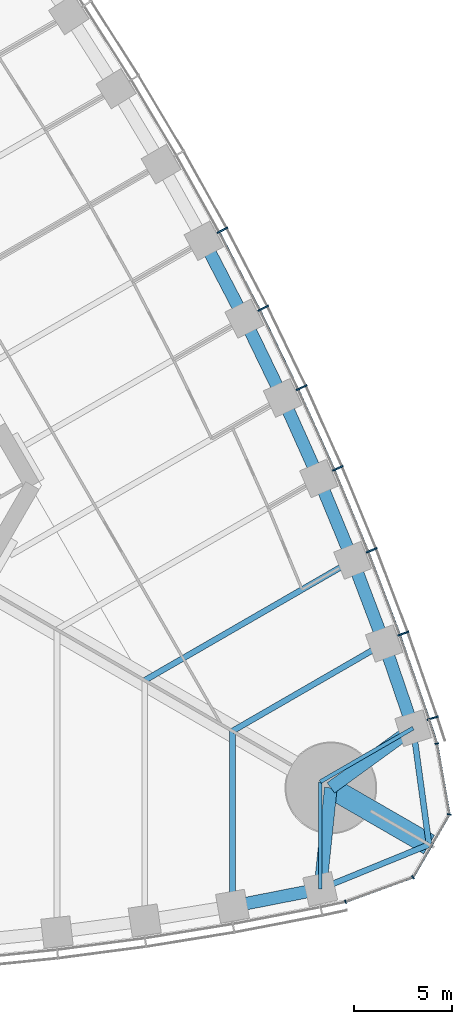
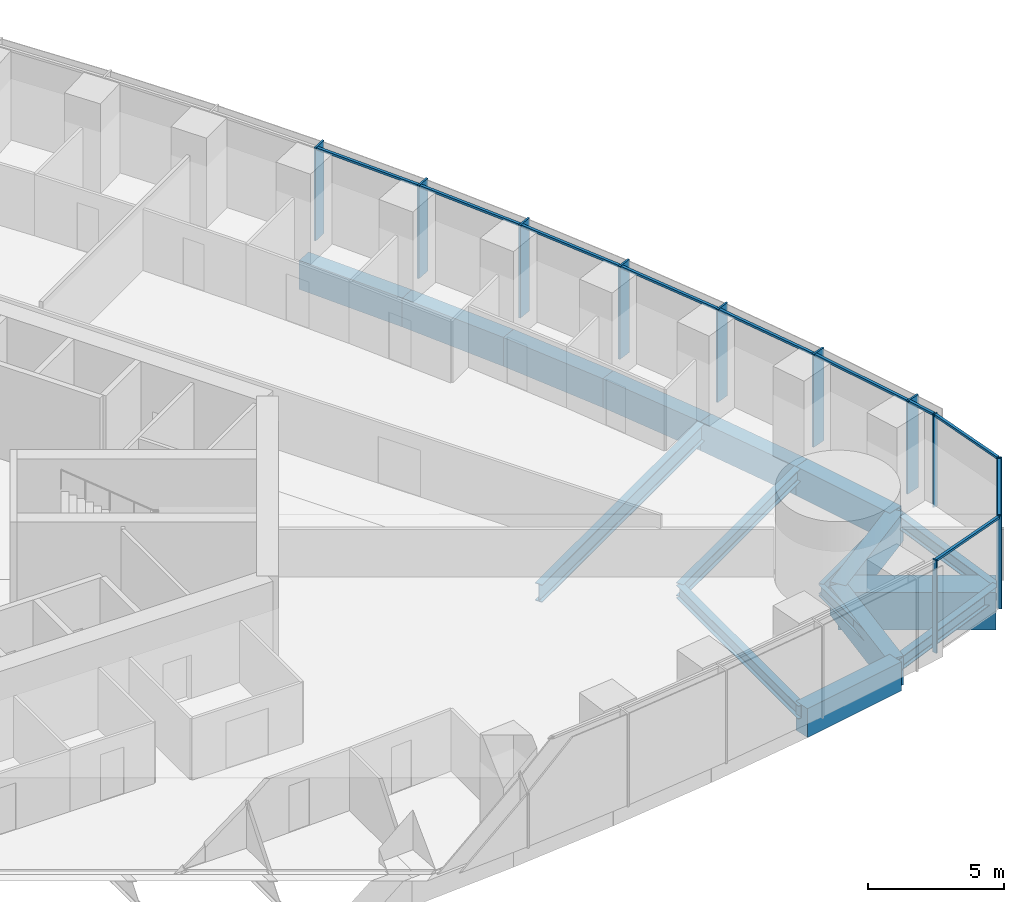
# One storey, part 6 of 18: 21 members, 17 beams, 2 elements without a shape of their own.
"""IFC4 building model written with IfcOpenShell, lengths in metres."""

from ifc_helpers import new_model, si_unit, direction, frame, origin, origin_2d, place, context, subcontext, project, spatial, rectangle, i_section, extrude, material, material_profile, profile_set, type_object, element, aggregate, save


model = new_model("IFC4")

# Units and contexts
model_context = context("Model", 3, precision=1e-05, world=origin(), true_north=direction((0.0, 1.0)))
body_context = subcontext(model_context, "Body", "Model", "MODEL_VIEW")
ifc_project = project(units=[si_unit("LENGTHUNIT", "METRE"), si_unit("AREAUNIT", "SQUARE_METRE"), si_unit("VOLUMEUNIT", "CUBIC_METRE"), si_unit("PLANEANGLEUNIT", "RADIAN"), si_unit("MASSUNIT", "GRAM", prefix="KILO")], contexts=[model_context])

# Site, building, storey
site_placement = place(None, origin())
site = spatial("IfcSite", under=ifc_project, at=site_placement, CompositionType="ELEMENT")
building_placement = place(site_placement, origin())
building = spatial("IfcBuilding", under=site, at=building_placement, Name="Trefoil Bronze Tower", CompositionType="ELEMENT")
storey_placement = place(building_placement, frame((0.0, 0.0, 41.699951171875)))
storey = spatial("IfcBuildingStorey", under=building, at=storey_placement, Name="L09", CompositionType="ELEMENT", Elevation=41.699951171875)

# Curtain wall, members
ifc_material_1 = material(Name="Tinted solar-control glass", Category="glass")
curtain_wall_type_1 = type_object("IfcCurtainWallType", Name="Bronze office curtain wall", PredefinedType="USERDEFINED", material=ifc_material_1)
curtain_wall_1_placement = place(storey_placement, origin())
curtain_wall_1 = element("IfcCurtainWall", 1, at=curtain_wall_1_placement, inside=storey, type_object=curtain_wall_type_1, Name="CW-A L09 F2", ObjectType="CURTAIN WALL", PredefinedType="USERDEFINED")
ifc_material_2 = material(Name="Bronze-finish aluminium", Category="aluminium")
ifc_material_profile_1 = material_profile(ifc_material_2, rectangle(XDim=0.60009765625, YDim=0.080078125, at=origin_2d()), Name="CW-A mullion")
ifc_profile_set_1 = profile_set([ifc_material_profile_1], Name="Bronze-finish aluminium")
member_type_1 = type_object("IfcMemberType", Name="Bronze office curtain wall mullion", PredefinedType="MULLION", material=ifc_profile_set_1)
member_1_placement = place(storey_placement, frame((37.265869140625, -14.92626953125, 0.0), z_axis=(0.0, 0.0, 1.0), x_axis=(-0.947850592929, -0.318715003543, 0.0)))
member_1 = element("IfcMember", 2, at=member_1_placement, type_object=member_type_1, Name="CW-A L09 F2 mullion 2", PredefinedType="MULLION", context=body_context, shape_type="SweptSolid", body=[
    extrude(rectangle(XDim=0.60009765625, YDim=0.080078125, at=origin_2d()), origin(), (0.0, 0.0, 1.0), 4.179931640625),
])
member_2_placement = place(storey_placement, frame((35.761962890625, -10.590087890625, 0.0), z_axis=(0.0, 0.0, 1.0), x_axis=(-0.939860248316, -0.341559238839, 0.0)))
member_2 = element("IfcMember", 3, at=member_2_placement, type_object=member_type_1, Name="CW-A L09 F2 mullion 3", PredefinedType="MULLION", context=body_context, shape_type="SweptSolid", body=[
    extrude(rectangle(XDim=0.60009765625, YDim=0.080078125, at=origin_2d()), origin(), (0.0, 0.0, 1.0), 4.179931640625),
])
member_3_placement = place(storey_placement, frame((34.138916015625, -6.32080078125, 0.0), z_axis=(0.0, 0.0, 1.0), x_axis=(-0.929413605838, -0.369039766534, 0.0)))
member_3 = element("IfcMember", 4, at=member_3_placement, type_object=member_type_1, Name="CW-A L09 F2 mullion 4", PredefinedType="MULLION", context=body_context, shape_type="SweptSolid", body=[
    extrude(rectangle(XDim=0.60009765625, YDim=0.080078125, at=origin_2d()), origin(), (0.0, 0.0, 1.0), 4.179931640625),
])
member_4_placement = place(storey_placement, frame((32.39892578125, -2.119384765625, 0.0), z_axis=(0.0, 0.0, 1.0), x_axis=(-0.918213748442, -0.396085233469, 0.0)))
member_4 = element("IfcMember", 5, at=member_4_placement, type_object=member_type_1, Name="CW-A L09 F2 mullion 5", PredefinedType="MULLION", context=body_context, shape_type="SweptSolid", body=[
    extrude(rectangle(XDim=0.60009765625, YDim=0.080078125, at=origin_2d()), origin(), (0.0, 0.0, 1.0), 4.179931640625),
])
member_5_placement = place(storey_placement, frame((30.543212890625, 2.015380859375, 0.0), z_axis=(0.0, 0.0, 1.0), x_axis=(-0.906269346572, -0.422700687798, 0.0)))
member_5 = element("IfcMember", 6, at=member_5_placement, type_object=member_type_1, Name="CW-A L09 F2 mullion 6", PredefinedType="MULLION", context=body_context, shape_type="SweptSolid", body=[
    extrude(rectangle(XDim=0.60009765625, YDim=0.080078125, at=origin_2d()), origin(), (0.0, 0.0, 1.0), 4.179931640625),
])
member_6_placement = place(storey_placement, frame((28.57275390625, 6.084228515625, 0.0), z_axis=(0.0, 0.0, 1.0), x_axis=(-0.893587025891, -0.448889994497, 0.0)))
member_6 = element("IfcMember", 7, at=member_6_placement, type_object=member_type_1, Name="CW-A L09 F2 mullion 7", PredefinedType="MULLION", context=body_context, shape_type="SweptSolid", body=[
    extrude(rectangle(XDim=0.60009765625, YDim=0.080078125, at=origin_2d()), origin(), (0.0, 0.0, 1.0), 4.179931640625),
])
member_7_placement = place(storey_placement, frame((26.488525390625, 10.0869140625, 0.0), z_axis=(0.0, 0.0, 1.0), x_axis=(-0.880171454588, -0.474655886437, 0.0)))
member_7 = element("IfcMember", 8, at=member_7_placement, type_object=member_type_1, Name="CW-A L09 F2 mullion 8", PredefinedType="MULLION", context=body_context, shape_type="SweptSolid", body=[
    extrude(rectangle(XDim=0.60009765625, YDim=0.080078125, at=origin_2d()), origin(), (0.0, 0.0, 1.0), 4.179931640625),
])
ifc_material_3 = material(Name="Bronze-finish aluminium", Category="aluminium")
ifc_material_profile_2 = material_profile(ifc_material_3, rectangle(XDim=0.1201171875, YDim=0.10009765625, at=origin_2d()), Name="CW-A transom")
ifc_profile_set_2 = profile_set([ifc_material_profile_2], Name="Bronze-finish aluminium")
member_type_2 = type_object("IfcMemberType", Name="Bronze office curtain wall transom", PredefinedType="USERDEFINED", material=ifc_profile_set_2)
member_8_placement = place(storey_placement, frame((37.4638671875, -16.1796875, 4.130126953125), z_axis=(-0.309624219148, 0.950859002648, 0.0), x_axis=(-0.950859002648, -0.309624219148, 0.0)))
member_8 = element("IfcMember", 9, at=member_8_placement, type_object=member_type_2, Name="CW-A L09 F2 transom 1", ObjectType="TRANSOM", PredefinedType="USERDEFINED", context=body_context, shape_type="SweptSolid", body=[
    extrude(rectangle(XDim=0.1201171875, YDim=0.10009765625, at=origin_2d()), origin(), (0.0, 0.0, 1.0), 1.21044921875),
])
member_9_placement = place(storey_placement, frame((37.06298828125, -14.951171875, 4.130126953125), z_axis=(-0.327689728493, 0.944785394595, 0.0), x_axis=(-0.944785394595, -0.327689728493, 0.0)))
member_9 = element("IfcMember", 10, at=member_9_placement, type_object=member_type_2, Name="CW-A L09 F2 transom 2", ObjectType="TRANSOM", PredefinedType="USERDEFINED", context=body_context, shape_type="SweptSolid", body=[
    extrude(rectangle(XDim=0.1201171875, YDim=0.10009765625, at=origin_2d()), origin(), (0.0, 0.0, 1.0), 4.502197265625),
])
member_10_placement = place(storey_placement, frame((35.559326171875, -10.61962890625, 4.130126953125), z_axis=(-0.355367327392, 0.934726731522, 0.0), x_axis=(-0.934726731522, -0.355367327392, 0.0)))
member_10 = element("IfcMember", 11, at=member_10_placement, type_object=member_type_2, Name="CW-A L09 F2 transom 3", ObjectType="TRANSOM", PredefinedType="USERDEFINED", context=body_context, shape_type="SweptSolid", body=[
    extrude(rectangle(XDim=0.1201171875, YDim=0.10009765625, at=origin_2d()), origin(), (0.0, 0.0, 1.0), 4.478515625),
])
member_11_placement = place(storey_placement, frame((33.937255859375, -6.3564453125, 4.130126953125), z_axis=(-0.382616149417, 0.923907399151, 0.0), x_axis=(-0.923907399151, -0.382616149417, 0.0)))
member_11 = element("IfcMember", 12, at=member_11_placement, type_object=member_type_2, Name="CW-A L09 F2 transom 4", ObjectType="TRANSOM", PredefinedType="USERDEFINED", context=body_context, shape_type="SweptSolid", body=[
    extrude(rectangle(XDim=0.1201171875, YDim=0.10009765625, at=origin_2d()), origin(), (0.0, 0.0, 1.0), 4.458984375),
])
member_12_placement = place(storey_placement, frame((32.1982421875, -2.16064453125, 4.130126953125), z_axis=(-0.409459746452, 0.912328184392, 0.0), x_axis=(-0.912328184392, -0.409459746452, 0.0)))
member_12 = element("IfcMember", 13, at=member_12_placement, type_object=member_type_2, Name="CW-A L09 F2 transom 5", ObjectType="TRANSOM", PredefinedType="USERDEFINED", context=body_context, shape_type="SweptSolid", body=[
    extrude(rectangle(XDim=0.1201171875, YDim=0.10009765625, at=origin_2d()), origin(), (0.0, 0.0, 1.0), 4.443359375),
])
member_13_placement = place(storey_placement, frame((30.34375, 1.96826171875, 4.130126953125), z_axis=(-0.435851763293, 0.900018466719, 0.0), x_axis=(-0.900018466719, -0.435851763293, 0.0)))
member_13 = element("IfcMember", 14, at=member_13_placement, type_object=member_type_2, Name="CW-A L09 F2 transom 6", ObjectType="TRANSOM", PredefinedType="USERDEFINED", context=body_context, shape_type="SweptSolid", body=[
    extrude(rectangle(XDim=0.1201171875, YDim=0.10009765625, at=origin_2d()), origin(), (0.0, 0.0, 1.0), 4.431884765625),
])
member_14_placement = place(storey_placement, frame((28.375, 6.031005859375, 4.130126953125), z_axis=(-0.461809621225, 0.886979071762, 0.0), x_axis=(-0.886979071762, -0.461809621225, 0.0)))
member_14 = element("IfcMember", 15, at=member_14_placement, type_object=member_type_2, Name="CW-A L09 F2 transom 7", ObjectType="TRANSOM", PredefinedType="USERDEFINED", context=body_context, shape_type="SweptSolid", body=[
    extrude(rectangle(XDim=0.1201171875, YDim=0.10009765625, at=origin_2d()), origin(), (0.0, 0.0, 1.0), 4.42431640625),
])
aggregate(curtain_wall_1, [member_1, member_2, member_3, member_4, member_5, member_6, member_7, member_8, member_9, member_10, member_11, member_12, member_13, member_14])

ifc_material_4 = material(Name="Tinted solar-control glass", Category="glass")
curtain_wall_type_2 = type_object("IfcCurtainWallType", Name="Bronze rounded corner curtain wall", PredefinedType="USERDEFINED", material=ifc_material_4)
curtain_wall_2_placement = place(storey_placement, origin())
curtain_wall_2 = element("IfcCurtainWall", 16, at=curtain_wall_2_placement, inside=storey, type_object=curtain_wall_type_2, Name="CW-B L09 K1", ObjectType="CURTAIN WALL", PredefinedType="USERDEFINED")
ifc_material_5 = material(Name="Bronze-finish aluminium", Category="aluminium")
ifc_material_profile_3 = material_profile(ifc_material_5, rectangle(XDim=0.199951171875, YDim=0.06005859375, at=origin_2d()), Name="CW-B mullion")
ifc_profile_set_3 = profile_set([ifc_material_profile_3], Name="Bronze-finish aluminium")
member_type_3 = type_object("IfcMemberType", Name="Bronze rounded corner curtain wall mullion", PredefinedType="MULLION", material=ifc_profile_set_3)
member_15_placement = place(storey_placement, frame((32.796630859375, -24.3427734375, 0.0), z_axis=(0.0, 0.0, 1.0), x_axis=(-0.342020143326, 0.939692620786, 0.0)))
member_15 = element("IfcMember", 17, at=member_15_placement, type_object=member_type_3, Name="CW-B L09 K1 mullion 1", PredefinedType="MULLION", context=body_context, shape_type="SweptSolid", body=[
    extrude(rectangle(XDim=0.199951171875, YDim=0.06005859375, at=origin_2d()), origin(), (0.0, 0.0, 1.0), 4.179931640625),
])
member_16_placement = place(storey_placement, frame((36.2548828125, -23.07763671875, 0.0), z_axis=(0.0, 0.0, 1.0), x_axis=(-0.642787609687, 0.766044443119, 0.0)))
member_16 = element("IfcMember", 18, at=member_16_placement, type_object=member_type_3, Name="CW-B L09 K1 mullion 2", PredefinedType="MULLION", context=body_context, shape_type="SweptSolid", body=[
    extrude(rectangle(XDim=0.199951171875, YDim=0.06005859375, at=origin_2d()), origin(), (0.0, 0.0, 1.0), 4.179931640625),
])
member_17_placement = place(storey_placement, frame((38.11328125, -19.85888671875, 0.0), z_axis=(0.0, 0.0, 1.0), x_axis=(-0.984807753012, 0.173648177667, 0.0)))
member_17 = element("IfcMember", 19, at=member_17_placement, type_object=member_type_3, Name="CW-B L09 K1 mullion 3", PredefinedType="MULLION", context=body_context, shape_type="SweptSolid", body=[
    extrude(rectangle(XDim=0.199951171875, YDim=0.06005859375, at=origin_2d()), origin(), (0.0, 0.0, 1.0), 4.179931640625),
])
member_18_placement = place(storey_placement, frame((37.479736328125, -16.2314453125, 0.0), z_axis=(0.0, 0.0, 1.0), x_axis=(-0.984807753012, -0.173648177667, 0.0)))
member_18 = element("IfcMember", 20, at=member_18_placement, type_object=member_type_3, Name="CW-B L09 K1 mullion 4", PredefinedType="MULLION", context=body_context, shape_type="SweptSolid", body=[
    extrude(rectangle(XDim=0.199951171875, YDim=0.06005859375, at=origin_2d()), origin(), (0.0, 0.0, 1.0), 4.179931640625),
])
ifc_material_6 = material(Name="Bronze-finish aluminium", Category="aluminium")
ifc_material_profile_4 = material_profile(ifc_material_6, rectangle(XDim=0.1201171875, YDim=0.10009765625, at=origin_2d()), Name="CW-B transom")
ifc_profile_set_4 = profile_set([ifc_material_profile_4], Name="Bronze-finish aluminium")
member_type_4 = type_object("IfcMemberType", Name="Bronze rounded corner curtain wall transom", PredefinedType="USERDEFINED", material=ifc_profile_set_4)
member_19_placement = place(storey_placement, frame((32.82470703125, -24.33251953125, 4.130126953125), z_axis=(0.939688092095, 0.342032585545, 0.0), x_axis=(-0.342032585545, 0.939688092095, 0.0)))
member_19 = element("IfcMember", 21, at=member_19_placement, type_object=member_type_4, Name="CW-B L09 K1 transom 1", ObjectType="TRANSOM", PredefinedType="USERDEFINED", context=body_context, shape_type="SweptSolid", body=[
    extrude(rectangle(XDim=0.1201171875, YDim=0.10009765625, at=origin_2d()), origin(), (0.0, 0.0, 1.0), 3.588134765625),
])
member_20_placement = place(storey_placement, frame((36.292236328125, -23.02490234375, 4.130126953125), z_axis=(0.500024788772, 0.866011091507, 0.0), x_axis=(-0.866011091507, 0.500024788772, 0.0)))
member_20 = element("IfcMember", 22, at=member_20_placement, type_object=member_type_4, Name="CW-B L09 K1 transom 2", ObjectType="TRANSOM", PredefinedType="USERDEFINED", context=body_context, shape_type="SweptSolid", body=[
    extrude(rectangle(XDim=0.1201171875, YDim=0.10009765625, at=origin_2d()), origin(), (0.0, 0.0, 1.0), 3.588134765625),
])
member_21_placement = place(storey_placement, frame((38.10791015625, -19.794677734375, 4.130126953125), z_axis=(-0.17363783606, 0.984809576461, 0.0), x_axis=(-0.984809576461, -0.17363783606, 0.0)))
member_21 = element("IfcMember", 23, at=member_21_placement, type_object=member_type_4, Name="CW-B L09 K1 transom 3", ObjectType="TRANSOM", PredefinedType="USERDEFINED", context=body_context, shape_type="SweptSolid", body=[
    extrude(rectangle(XDim=0.1201171875, YDim=0.10009765625, at=origin_2d()), origin(), (0.0, 0.0, 1.0), 3.588134765625),
])
aggregate(curtain_wall_2, [member_15, member_16, member_17, member_18, member_19, member_20, member_21])

# Beams
ifc_material_7 = material(Name="Concrete B80", Category="concrete")
ifc_material_profile_5 = material_profile(ifc_material_7, rectangle(XDim=1.10009765625, YDim=1.699951171875, at=origin_2d()), Name="RC 1100x1700")
ifc_profile_set_5 = profile_set([ifc_material_profile_5], Name="Concrete B80")
beam_type_1 = type_object("IfcBeamType", Name="Corner cantilever RC 1100x1700", PredefinedType="BEAM", material=ifc_profile_set_5)
beam_1_placement = place(storey_placement, frame((32.04296875, -18.5, -1.050048828125), z_axis=(0.866030348588, -0.499991435252, 0.0), x_axis=(0.499991435252, 0.866030348588, 0.0)))
element("IfcBeam", 24, at=beam_1_placement, inside=storey, type_object=beam_type_1, Name="Corner cantilever K1 L09", PredefinedType="BEAM", context=body_context, shape_type="SweptSolid", body=[
    extrude(rectangle(XDim=1.10009765625, YDim=1.699951171875, at=origin_2d()), origin(), (0.0, 0.0, 1.0), 5.81396484375),
])
ifc_material_8 = material(Name="Steel C355", Category="steel")
ifc_material_profile_6 = material_profile(ifc_material_8, i_section(OverallWidth=0.300048828125, OverallDepth=0.60009765625, WebThickness=0.015380859375, FlangeThickness=0.030029296875, FilletRadius=0.027099609375, at=origin_2d()), Name="HEB 600")
ifc_profile_set_6 = profile_set([ifc_material_profile_6], Name="Steel C355")
beam_type_2 = type_object("IfcBeamType", Name="Corner edge beam HEB 600", PredefinedType="BEAM", material=ifc_profile_set_6)
beam_2_placement = place(storey_placement, frame((31.5, -23.684814453125, -0.5), z_axis=(0.925786874353, 0.378045848114, 0.0), x_axis=(-0.378045848114, 0.925786874353, 0.0)))
element("IfcBeam", 25, at=beam_2_placement, inside=storey, type_object=beam_type_2, Name="Corner edge beam F1A L09", PredefinedType="BEAM", context=body_context, shape_type="SweptSolid", body=[
    extrude(i_section(OverallWidth=0.300048828125, OverallDepth=0.60009765625, WebThickness=0.015380859375, FlangeThickness=0.030029296875, FilletRadius=0.027099609375, at=origin_2d()), origin(), (0.0, 0.0, 1.0), 6.025390625),
])
beam_3_placement = place(storey_placement, frame((36.26171875, -15.4375, -0.5), z_axis=(0.13550196505, -0.990777077585, 0.0), x_axis=(0.990777077585, 0.13550196505, 0.0)))
element("IfcBeam", 26, at=beam_3_placement, inside=storey, type_object=beam_type_2, Name="Corner edge beam F2B L09", PredefinedType="BEAM", context=body_context, shape_type="SweptSolid", body=[
    extrude(i_section(OverallWidth=0.300048828125, OverallDepth=0.60009765625, WebThickness=0.015380859375, FlangeThickness=0.030029296875, FilletRadius=0.027099609375, at=origin_2d()), origin(), (0.0, 0.0, 1.0), 6.025146484375),
])
ifc_material_9 = material(Name="Concrete B80", Category="concrete")
ifc_material_profile_7 = material_profile(ifc_material_9, rectangle(XDim=0.64990234375, YDim=1.300048828125, at=origin_2d()), Name="RC 650x1300")
ifc_profile_set_7 = profile_set([ifc_material_profile_7], Name="Concrete B80")
beam_type_3 = type_object("IfcBeamType", Name="End spandrel beam RC 650x1300", PredefinedType="SPANDREL", material=ifc_profile_set_7)
for number, where, z_axis, x_axis, name in (
    (27, (31.5, -23.684814453125, -0.849853515625), (0.104153327908, 0.994561252154, 0.0), (-0.994561252154, 0.104153327908, 0.0), "Spandrel F1.16 L09"),
    (28, (32.04296875, -18.5, -0.849853515625), (0.809254211267, 0.587458612624, 0.0), (-0.587458612624, 0.809254211267, 0.0), "Spandrel F2.1 L09"),
):
    element("IfcBeam", number, at=place(storey_placement, frame(where, z_axis=z_axis, x_axis=x_axis)), inside=storey, type_object=beam_type_3, Name=name, PredefinedType="SPANDREL", context=body_context, shape_type="SweptSolid", body=[
        extrude(rectangle(XDim=0.64990234375, YDim=1.300048828125, at=origin_2d()), origin(), (0.0, 0.0, 1.0), 5.213134765625),
    ])
ifc_material_10 = material(Name="Steel C355", Category="steel")
ifc_material_profile_8 = material_profile(ifc_material_10, i_section(OverallWidth=0.300048828125, OverallDepth=0.590087890625, WebThickness=0.012939453125, FlangeThickness=0.02490234375, FilletRadius=0.027099609375, at=origin_2d()), Name="HEA 600")
ifc_profile_set_8 = profile_set([ifc_material_profile_8], Name="Steel C355")
beam_type_4 = type_object("IfcBeamType", Name="Floor beam HEA 600", PredefinedType="BEAM", material=ifc_profile_set_8)
for number, where, z_axis, x_axis, name in (
    (29, (27.0, -24.56787109375, -0.494873046875), (0.0, 1.0, 0.0), (-1.0, 0.0, 0.0), "Floor beam F1/+6 L09"),
    (30, (34.7763671875, -11.0986328125, -0.494873046875), (-0.866022587327, -0.500004878216, 0.0), (0.500004878216, -0.866022587327, 0.0), "Floor beam F2/-6 L09"),
):
    element("IfcBeam", number, at=place(storey_placement, frame(where, z_axis=z_axis, x_axis=x_axis)), inside=storey, type_object=beam_type_4, Name=name, PredefinedType="BEAM", context=body_context, shape_type="SweptSolid", body=[
        extrude(i_section(OverallWidth=0.300048828125, OverallDepth=0.590087890625, WebThickness=0.012939453125, FlangeThickness=0.02490234375, FilletRadius=0.027099609375, at=origin_2d()), origin(), (0.0, 0.0, 1.0), 8.9794921875),
    ])
ifc_material_11 = material(Name="Steel C355", Category="steel")
ifc_material_profile_9 = material_profile(ifc_material_11, i_section(OverallWidth=0.300048828125, OverallDepth=0.800048828125, WebThickness=0.017578125, FlangeThickness=0.032958984375, FilletRadius=0.030029296875, at=origin_2d()), Name="HEB 800")
ifc_profile_set_9 = profile_set([ifc_material_profile_9], Name="Steel C355")
beam_type_5 = type_object("IfcBeamType", Name="Floor beam HEB 800", PredefinedType="BEAM", material=ifc_profile_set_9)
beam_4_placement = place(storey_placement, frame((33.159912109375, -6.8359375, -0.599853515625), z_axis=(-0.866024070878, -0.500002308654, 0.0), x_axis=(0.500002308654, -0.866024070878, 0.0)))
element("IfcBeam", 31, at=beam_4_placement, inside=storey, type_object=beam_type_5, Name="Floor beam F2/-5 L09", PredefinedType="BEAM", context=body_context, shape_type="SweptSolid", body=[
    extrude(i_section(OverallWidth=0.300048828125, OverallDepth=0.800048828125, WebThickness=0.017578125, FlangeThickness=0.032958984375, FilletRadius=0.030029296875, at=origin_2d()), origin(), (0.0, 0.0, 1.0), 12.30908203125),
])
ifc_material_12 = material(Name="Steel C355", Category="steel")
ifc_material_profile_10 = material_profile(ifc_material_12, i_section(OverallWidth=0.199951171875, OverallDepth=0.5, WebThickness=0.01025390625, FlangeThickness=0.01611328125, FilletRadius=0.02099609375, at=origin_2d()), Name="IPE 500")
ifc_profile_set_10 = profile_set([ifc_material_profile_10], Name="Steel C355")
beam_type_6 = type_object("IfcBeamType", Name="Floor beam IPE 500", PredefinedType="BEAM", material=ifc_profile_set_10)
for number, where, z_axis, x_axis, name in (
    (32, (31.5, -23.684814453125, -0.449951171875), (0.0, 1.0, 0.0), (-1.0, 0.0, 0.0), "Floor beam F1/+7 L09"),
    (33, (36.26171875, -15.4375, -0.449951171875), (-0.866037702141, -0.499978698016, 0.0), (0.499978698016, -0.866037702141, 0.0), "Floor beam F2/-7 L09"),
):
    element("IfcBeam", number, at=place(storey_placement, frame(where, z_axis=z_axis, x_axis=x_axis)), inside=storey, type_object=beam_type_6, Name=name, PredefinedType="BEAM", context=body_context, shape_type="SweptSolid", body=[
        extrude(i_section(OverallWidth=0.199951171875, OverallDepth=0.5, WebThickness=0.01025390625, FlangeThickness=0.01611328125, FilletRadius=0.02099609375, at=origin_2d()), origin(), (0.0, 0.0, 1.0), 5.498291015625),
    ])
ifc_material_13 = material(Name="Concrete B80", Category="concrete")
ifc_material_profile_11 = material_profile(ifc_material_13, rectangle(XDim=0.64990234375, YDim=1.300048828125, at=origin_2d()), Name="RC 650x1300")
ifc_profile_set_11 = profile_set([ifc_material_profile_11], Name="Concrete B80")
beam_type_7 = type_object("IfcBeamType", Name="Spandrel beam RC 650x1300", PredefinedType="SPANDREL", material=ifc_profile_set_11)
beam_5_placement = place(storey_placement, frame((27.0, -24.56787109375, -0.849853515625), z_axis=(0.981284764092, 0.192562228283, 0.0), x_axis=(-0.192562228283, 0.981284764092, 0.0)))
element("IfcBeam", 34, at=beam_5_placement, inside=storey, type_object=beam_type_7, Name="Spandrel F1.15 L09", PredefinedType="SPANDREL", context=body_context, shape_type="SweptSolid", body=[
    extrude(rectangle(XDim=0.64990234375, YDim=1.300048828125, at=origin_2d()), origin(), (0.0, 0.0, 1.0), 4.5859375),
])
beam_6_placement = place(storey_placement, frame((36.26171875, -15.4375, -0.849853515625), z_axis=(-0.323883319148, 0.946097032855, 0.0), x_axis=(-0.946097032855, -0.323883319148, 0.0)))
element("IfcBeam", 35, at=beam_6_placement, inside=storey, type_object=beam_type_7, Name="Spandrel F2.2 L09", PredefinedType="SPANDREL", context=body_context, shape_type="SweptSolid", body=[
    extrude(rectangle(XDim=0.64990234375, YDim=1.300048828125, at=origin_2d()), origin(), (0.0, 0.0, 1.0), 4.586181640625),
])
beam_7_placement = place(storey_placement, frame((34.7763671875, -11.0986328125, -0.849853515625), z_axis=(-0.354571899767, 0.935028752443, 0.0), x_axis=(-0.935028752443, -0.354571899767, 0.0)))
element("IfcBeam", 36, at=beam_7_placement, inside=storey, type_object=beam_type_7, Name="Spandrel F2.3 L09", PredefinedType="SPANDREL", context=body_context, shape_type="SweptSolid", body=[
    extrude(rectangle(XDim=0.64990234375, YDim=1.300048828125, at=origin_2d()), origin(), (0.0, 0.0, 1.0), 4.558837890625),
])
beam_8_placement = place(storey_placement, frame((33.159912109375, -6.8359375, -0.849853515625), z_axis=(-0.382020825144, 0.924153715113, 0.0), x_axis=(-0.924153715113, -0.382020825144, 0.0)))
element("IfcBeam", 37, at=beam_8_placement, inside=storey, type_object=beam_type_7, Name="Spandrel F2.4 L09", PredefinedType="SPANDREL", context=body_context, shape_type="SweptSolid", body=[
    extrude(rectangle(XDim=0.64990234375, YDim=1.300048828125, at=origin_2d()), origin(), (0.0, 0.0, 1.0), 4.539306640625),
])
beam_9_placement = place(storey_placement, frame((31.42578125, -2.640869140625, -0.849853515625), z_axis=(-0.408945873044, 0.912558640812, 0.0), x_axis=(-0.912558640812, -0.408945873044, 0.0)))
element("IfcBeam", 38, at=beam_9_placement, inside=storey, type_object=beam_type_7, Name="Spandrel F2.5 L09", PredefinedType="SPANDREL", context=body_context, shape_type="SweptSolid", body=[
    extrude(rectangle(XDim=0.64990234375, YDim=1.300048828125, at=origin_2d()), origin(), (0.0, 0.0, 1.0), 4.5234375),
])
beam_10_placement = place(storey_placement, frame((29.575927734375, 1.487060546875, -0.849853515625), z_axis=(-0.435510013583, 0.900183885697, 0.0), x_axis=(-0.900183885697, -0.435510013583, 0.0)))
element("IfcBeam", 39, at=beam_10_placement, inside=storey, type_object=beam_type_7, Name="Spandrel F2.6 L09", PredefinedType="SPANDREL", context=body_context, shape_type="SweptSolid", body=[
    extrude(rectangle(XDim=0.64990234375, YDim=1.300048828125, at=origin_2d()), origin(), (0.0, 0.0, 1.0), 4.51220703125),
])
beam_11_placement = place(storey_placement, frame((27.61083984375, 5.548828125, -0.849853515625), z_axis=(-0.461637716615, 0.887068553495, 0.0), x_axis=(-0.887068553495, -0.461637716615, 0.0)))
element("IfcBeam", 40, at=beam_11_placement, inside=storey, type_object=beam_type_7, Name="Spandrel F2.7 L09", PredefinedType="SPANDREL", context=body_context, shape_type="SweptSolid", body=[
    extrude(rectangle(XDim=0.64990234375, YDim=1.300048828125, at=origin_2d()), origin(), (0.0, 0.0, 1.0), 4.50439453125),
])

save(model, "model.ifc")
